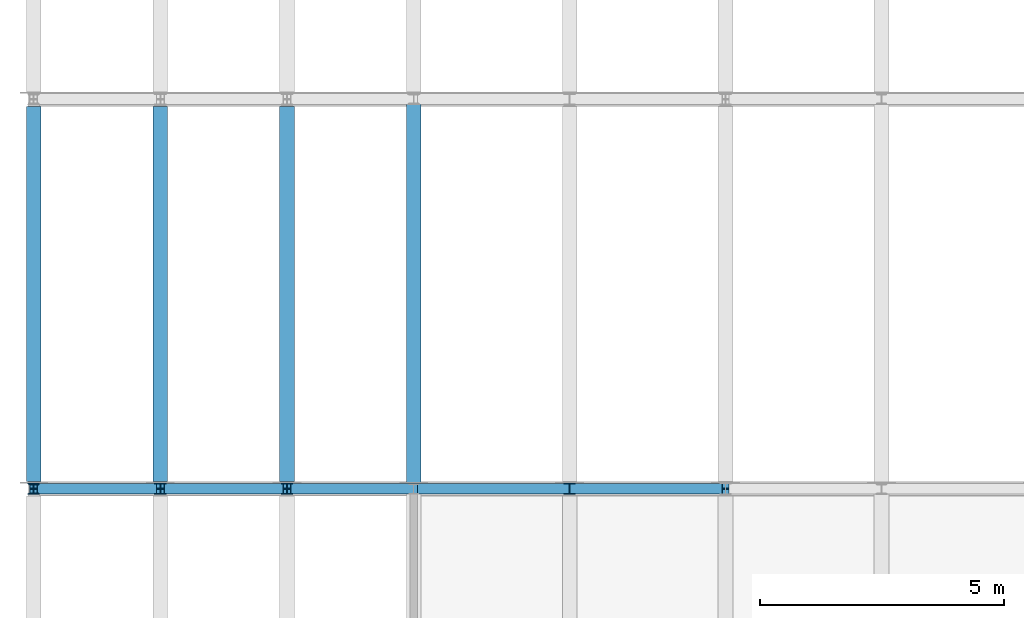
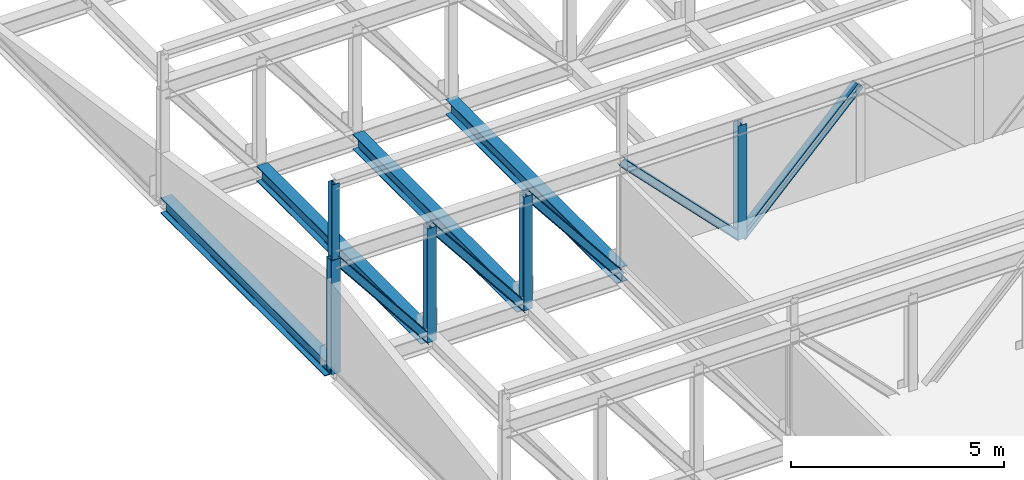
# One storey, part 16 of 34: 10 members, 4 beams.
"""IFC4 building model written with IfcOpenShell, lengths in metres."""

from ifc_helpers import new_model, si_unit, direction, frame, origin, origin_2d, place, context, subcontext, project, spatial, i_section, extrude, material, material_profile, profile_set, type_object, element, save


model = new_model("IFC4")

# Units and contexts
model_context = context("Model", 3, precision=1e-05, world=origin(), true_north=direction((0.0, 1.0)))
body_context = subcontext(model_context, "Body", "Model", "MODEL_VIEW")
ifc_project = project(units=[si_unit("LENGTHUNIT", "METRE"), si_unit("AREAUNIT", "SQUARE_METRE"), si_unit("VOLUMEUNIT", "CUBIC_METRE"), si_unit("PLANEANGLEUNIT", "RADIAN"), si_unit("MASSUNIT", "GRAM", prefix="KILO")], contexts=[model_context])

# Site, building, storey
site_placement = place(None, origin())
site = spatial("IfcSite", under=ifc_project, at=site_placement, CompositionType="ELEMENT")
building_placement = place(site_placement, origin())
building = spatial("IfcBuilding", under=site, at=building_placement, Name="Alderhovde Museum", CompositionType="ELEMENT")
storey_placement = place(building_placement, frame((0.0, 0.0, 25.800048828125)))
storey = spatial("IfcBuildingStorey", under=building, at=storey_placement, Name="L05", CompositionType="ELEMENT", Elevation=25.800048828125)

# Beams
ifc_material_1 = material(Name="Steel S355J2", Category="steel")
ifc_material_profile_1 = material_profile(ifc_material_1, i_section(OverallWidth=0.300048828125, OverallDepth=0.43994140625, WebThickness=0.011474609375, FlangeThickness=0.02099609375, FilletRadius=0.027099609375, at=origin_2d()), Name="HEA 450")
ifc_profile_set_1 = profile_set([ifc_material_profile_1], Name="Steel S355J2")
beam_type = type_object("IfcBeamType", Name="BM-HEA450", PredefinedType="BEAM", material=ifc_profile_set_1)
for number, where, z_axis, x_axis, name in (
    (1, (1.800048828125, 96.14990234375, -0.47998046875), (0.0, 1.0, 0.0), (-1.0, 0.0, 0.0), "L05 Transfer Transverse Beam X=1.8"),
    (2, (4.39990234375, 96.14990234375, -0.47998046875), (0.0, 1.0, 0.0), (-1.0, 0.0, 0.0), "L05 Transfer Transverse Beam X=4.4"),
    (3, (7.0, 96.14990234375, -0.47998046875), (0.0, 1.0, 0.0), (-1.0, 0.0, 0.0), "L05 Transfer Transverse Beam X=7.0"),
):
    element("IfcBeam", number, at=place(storey_placement, frame(where, z_axis=z_axis, x_axis=x_axis)), inside=storey, type_object=beam_type, Name=name, PredefinedType="BEAM", context=body_context, shape_type="SweptSolid", body=[
        extrude(i_section(OverallWidth=0.300048828125, OverallDepth=0.43994140625, WebThickness=0.011474609375, FlangeThickness=0.02099609375, FilletRadius=0.027099609375, at=origin_2d()), origin(), (0.0, 0.0, 1.0), 7.7001953125),
    ])
beam_placement = place(storey_placement, frame((9.60009765625, 96.0, -0.47998046875), z_axis=(0.0, 1.0, 0.0), x_axis=(-1.0, 0.0, 0.0)))
element("IfcBeam", 4, at=beam_placement, inside=storey, type_object=beam_type, Name="L05 Transfer Transverse Beam X=9.6", PredefinedType="BEAM", context=body_context, shape_type="SweptSolid", body=[
    extrude(i_section(OverallWidth=0.300048828125, OverallDepth=0.43994140625, WebThickness=0.011474609375, FlangeThickness=0.02099609375, FilletRadius=0.027099609375, at=origin_2d()), origin(), (0.0, 0.0, 1.0), 8.0),
])

# Members
ifc_material_2 = material(Name="Steel S355J2", Category="steel")
ifc_material_profile_2 = material_profile(ifc_material_2, i_section(OverallWidth=0.219970703125, OverallDepth=0.2099609375, WebThickness=0.007080078125, FlangeThickness=0.010986328125, FilletRadius=0.01806640625, at=origin_2d()), Name="HEA 220")
ifc_profile_set_2 = profile_set([ifc_material_profile_2], Name="Steel S355J2")
member_type_1 = type_object("IfcMemberType", Name="TR-DG-HEA220", PredefinedType="RAFTER", material=ifc_profile_set_2)
member_1_placement = place(storey_placement, frame((1.800048828125, 96.0, 2.75), z_axis=(0.623501892836, 0.0, -0.781821840082), x_axis=(0.0, 1.0, 0.0)))
element("IfcMember", 5, at=member_1_placement, inside=storey, type_object=member_type_1, Name="Transfer Truss Y=96 T3 Diagonal 1", PredefinedType="RAFTER", context=body_context, shape_type="SweptSolid", body=[
    extrude(i_section(OverallWidth=0.219970703125, OverallDepth=0.2099609375, WebThickness=0.007080078125, FlangeThickness=0.010986328125, FilletRadius=0.01806640625, at=origin_2d()), origin(), (0.0, 0.0, 1.0), 4.169677734375),
])
for number, where, z_axis, x_axis, name in (
    (6, (4.39990234375, 96.0, 2.75), (0.623537679463, 0.0, -0.781793298955), (0.0, 1.0, 0.0), "Transfer Truss Y=96 T3 Diagonal 2"),
    (7, (7.0, 96.0, 2.75), (0.623537679463, 0.0, -0.781793298955), (0.0, 1.0, 0.0), "Transfer Truss Y=96 T3 Diagonal 3"),
):
    element("IfcMember", number, at=place(storey_placement, frame(where, z_axis=z_axis, x_axis=x_axis)), inside=storey, type_object=member_type_1, Name=name, PredefinedType="RAFTER", context=body_context, shape_type="SweptSolid", body=[
        extrude(i_section(OverallWidth=0.219970703125, OverallDepth=0.2099609375, WebThickness=0.007080078125, FlangeThickness=0.010986328125, FilletRadius=0.01806640625, at=origin_2d()), origin(), (0.0, 0.0, 1.0), 4.169921875),
    ])
for number, where, z_axis, x_axis, name in (
    (8, (9.60009765625, 96.0, 2.75), (0.700502499188, 0.0, -0.713649948246), (0.0, 1.0, 0.0), "Transfer Truss Y=96 T3 Diagonal 4"),
    (9, (12.800048828125, 96.0, -0.510009765625), (0.700502499188, 0.0, 0.713649948246), (0.0, 1.0, 0.0), "Transfer Truss Y=96 T3 Diagonal 5"),
):
    element("IfcMember", number, at=place(storey_placement, frame(where, z_axis=z_axis, x_axis=x_axis)), inside=storey, type_object=member_type_1, Name=name, PredefinedType="RAFTER", context=body_context, shape_type="SweptSolid", body=[
        extrude(i_section(OverallWidth=0.219970703125, OverallDepth=0.2099609375, WebThickness=0.007080078125, FlangeThickness=0.010986328125, FilletRadius=0.01806640625, at=origin_2d()), origin(), (0.0, 0.0, 1.0), 4.568115234375),
    ])
ifc_material_3 = material(Name="Steel S355J2", Category="steel")
ifc_material_profile_3 = material_profile(ifc_material_3, i_section(OverallWidth=0.199951171875, OverallDepth=0.18994140625, WebThickness=0.006591796875, FlangeThickness=0.010009765625, FilletRadius=0.01806640625, at=origin_2d()), Name="HEA 200")
ifc_profile_set_3 = profile_set([ifc_material_profile_3], Name="Steel S355J2")
member_type_2 = type_object("IfcMemberType", Name="TR-PS-HEA200", PredefinedType="POST", material=ifc_profile_set_3)
member_2_placement = place(storey_placement, frame((1.800048828125, 96.0, 2.75), z_axis=(0.0, 0.0, 1.0), x_axis=(1.0, 0.0, 0.0)))
element("IfcMember", 10, at=member_2_placement, inside=storey, type_object=member_type_2, Name="Vol 4 Cantilever Tip Roof Post Y=96", PredefinedType="POST", context=body_context, shape_type="SweptSolid", body=[
    extrude(i_section(OverallWidth=0.199951171875, OverallDepth=0.18994140625, WebThickness=0.006591796875, FlangeThickness=0.010009765625, FilletRadius=0.01806640625, at=origin_2d()), origin(), (0.0, 0.0, 1.0), 2.14990234375),
])
ifc_material_4 = material(Name="Steel S355J2", Category="steel")
ifc_material_profile_4 = material_profile(ifc_material_4, i_section(OverallWidth=0.239990234375, OverallDepth=0.22998046875, WebThickness=0.007568359375, FlangeThickness=0.011962890625, FilletRadius=0.02099609375, at=origin_2d()), Name="HEA 240")
ifc_profile_set_4 = profile_set([ifc_material_profile_4], Name="Steel S355J2")
member_type_3 = type_object("IfcMemberType", Name="TR-PS-HEA240", PredefinedType="POST", material=ifc_profile_set_4)
for number, where, z_axis, x_axis, name in (
    (11, (1.800048828125, 96.0, -0.510009765625), (0.0, 0.0, 1.0), (1.0, 0.0, 0.0), "Transfer Truss Y=96 T3 Post 1"),
    (12, (4.39990234375, 96.0, -0.510009765625), (0.0, 0.0, 1.0), (1.0, 0.0, 0.0), "Transfer Truss Y=96 T3 Post 2"),
    (13, (7.0, 96.0, -0.510009765625), (0.0, 0.0, 1.0), (1.0, 0.0, 0.0), "Transfer Truss Y=96 T3 Post 3"),
    (14, (12.800048828125, 96.0, -0.510009765625), (0.0, 0.0, 1.0), (1.0, 0.0, 0.0), "Transfer Truss Y=96 T3 Post 5"),
):
    element("IfcMember", number, at=place(storey_placement, frame(where, z_axis=z_axis, x_axis=x_axis)), inside=storey, type_object=member_type_3, Name=name, PredefinedType="POST", context=body_context, shape_type="SweptSolid", body=[
        extrude(i_section(OverallWidth=0.239990234375, OverallDepth=0.22998046875, WebThickness=0.007568359375, FlangeThickness=0.011962890625, FilletRadius=0.02099609375, at=origin_2d()), origin(), (0.0, 0.0, 1.0), 3.260009765625),
    ])

save(model, "model.ifc")
